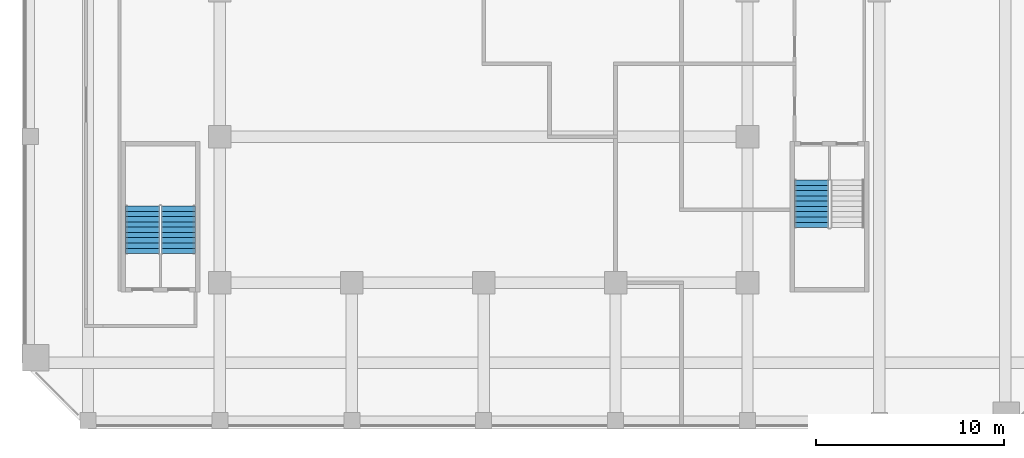
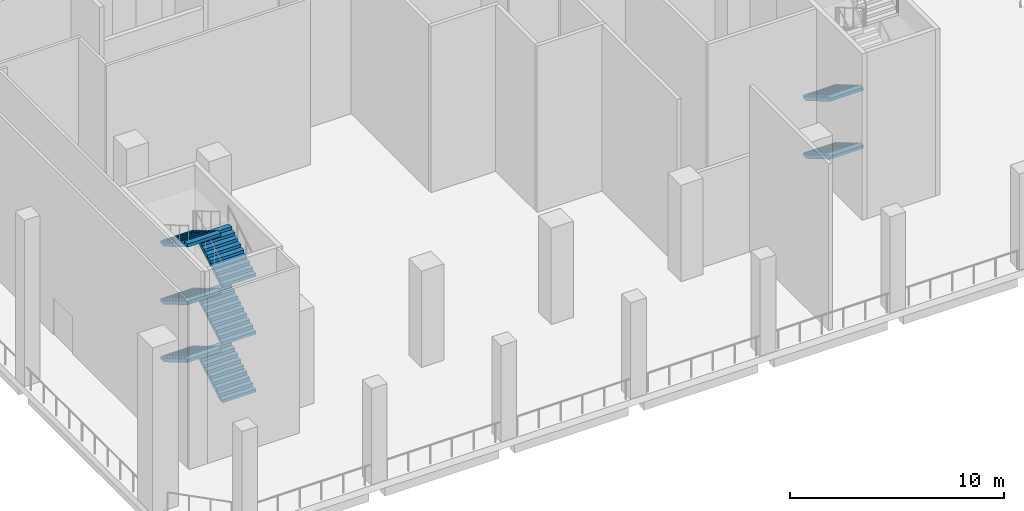
# One storey, part 6 of 12: 8 stair flights, 2 elements without a shape of their own.
"""IFC4 building model written with IfcOpenShell, lengths in metres."""

from ifc_helpers import new_model, si_unit, direction, frame, origin, place, context, subcontext, project, spatial, triangles, source, transform, mapped, material, type_object, element, aggregate, save


model = new_model("IFC4")

# Units and contexts
model_context = context("Model", 3, precision=1e-05, world=origin(), true_north=direction((0.0, 1.0)))
body_context = subcontext(model_context, "Body", "Model", "MODEL_VIEW")
ifc_project = project(units=[si_unit("LENGTHUNIT", "METRE"), si_unit("AREAUNIT", "SQUARE_METRE"), si_unit("VOLUMEUNIT", "CUBIC_METRE"), si_unit("PLANEANGLEUNIT", "RADIAN"), si_unit("MASSUNIT", "GRAM", prefix="KILO")], contexts=[model_context])

# Site, building, storey
site_placement = place(None, origin())
site = spatial("IfcSite", under=ifc_project, at=site_placement, CompositionType="ELEMENT")
building_placement = place(site_placement, origin())
building = spatial("IfcBuilding", under=site, at=building_placement, Name="Kilnfold Tower and Market Hall", CompositionType="ELEMENT")
storey_placement = place(building_placement, frame((0.0, 0.0, 128.60009765625)))
storey = spatial("IfcBuildingStorey", under=building, at=storey_placement, Name="L30 Refuge Wind Floor", CompositionType="ELEMENT", Elevation=128.60009765625)

# Stair, stair flights
ifc_material_1 = material(Name="Concrete C40/50", Category="concrete")
stair_type = type_object("IfcStairType", Name="CORE STAIR 1800", PredefinedType="HALF_TURN_STAIR", material=ifc_material_1)
stair_1_placement = place(storey_placement, origin())
stair_1 = element("IfcStair", 1, at=stair_1_placement, inside=storey, type_object=stair_type, Name="L30 Refuge Wind Floor ST3", PredefinedType="HALF_TURN_STAIR")
ifc_material_2 = material(Name="Concrete C40/50", Category="concrete")
stair_flight_type = type_object("IfcStairFlightType", Name="CORE STAIR FLIGHT 1800", PredefinedType="STRAIGHT", material=ifc_material_2)
shared_shape = source(origin(), body_context, "Body", "Tessellation", [
    triangles([(0.0, 0.89990234375, 0.0), (0.0, 0.78759765625, 0.0), (0.0, 0.675048828125, 0.0), (0.0, 0.5625, 0.0), (0.0, 0.449951171875, 0.0), (0.0, 0.33740234375, 0.0), (0.0, 0.22509765625, 0.0), (0.0, 0.112548828125, 0.0), (0.0, 0.0, 0.0), (0.0, -0.112548828125, 0.0), (0.0, -0.22509765625, 0.0), (0.0, -0.33740234375, 0.0), (0.0, -0.449951171875, 0.0), (0.0, -0.5625, 0.0), (0.0, -0.675048828125, 0.0), (0.0, -0.78759765625, 0.0), (0.0, -0.89990234375, 0.0), (0.0, 0.89990234375, 0.1650390625), (0.0, 0.78759765625, 0.1650390625), (0.0, 0.675048828125, 0.1650390625), (0.0, 0.5625, 0.1650390625), (0.0, 0.449951171875, 0.1650390625), (0.0, 0.33740234375, 0.1650390625), (0.0, 0.22509765625, 0.1650390625), (0.0, 0.112548828125, 0.1650390625), (0.0, 0.0, 0.1650390625), (0.0, -0.112548828125, 0.1650390625), (0.0, -0.22509765625, 0.1650390625), (0.0, -0.33740234375, 0.1650390625), (0.0, -0.449951171875, 0.1650390625), (0.0, -0.5625, 0.1650390625), (0.0, -0.675048828125, 0.1650390625), (0.0, -0.78759765625, 0.1650390625), (0.0, -0.89990234375, 0.1650390625), (0.280029296875, 0.89990234375, 0.1650390625), (0.280029296875, 0.78759765625, 0.1650390625), (0.280029296875, 0.675048828125, 0.1650390625), (0.280029296875, 0.5625, 0.1650390625), (0.280029296875, 0.449951171875, 0.1650390625), (0.280029296875, 0.33740234375, 0.1650390625), (0.280029296875, 0.22509765625, 0.1650390625), (0.280029296875, 0.112548828125, 0.1650390625), (0.280029296875, 0.0, 0.1650390625), (0.280029296875, -0.112548828125, 0.1650390625), (0.280029296875, -0.22509765625, 0.1650390625), (0.280029296875, -0.33740234375, 0.1650390625), (0.280029296875, -0.449951171875, 0.1650390625), (0.280029296875, -0.5625, 0.1650390625), (0.280029296875, -0.675048828125, 0.1650390625), (0.280029296875, -0.78759765625, 0.1650390625), (0.280029296875, -0.89990234375, 0.1650390625), (0.280029296875, 0.89990234375, 0.330078125), (0.280029296875, 0.78759765625, 0.330078125), (0.280029296875, 0.675048828125, 0.330078125), (0.280029296875, 0.5625, 0.330078125), (0.280029296875, 0.449951171875, 0.330078125), (0.280029296875, 0.33740234375, 0.330078125), (0.280029296875, 0.22509765625, 0.330078125), (0.280029296875, 0.112548828125, 0.330078125), (0.280029296875, 0.0, 0.330078125), (0.280029296875, -0.112548828125, 0.330078125), (0.280029296875, -0.22509765625, 0.330078125), (0.280029296875, -0.33740234375, 0.330078125), (0.280029296875, -0.449951171875, 0.330078125), (0.280029296875, -0.5625, 0.330078125), (0.280029296875, -0.675048828125, 0.330078125), (0.280029296875, -0.78759765625, 0.330078125), (0.280029296875, -0.89990234375, 0.330078125), (0.56005859375, 0.89990234375, 0.330078125), (0.56005859375, 0.78759765625, 0.330078125), (0.56005859375, 0.675048828125, 0.330078125), (0.56005859375, 0.5625, 0.330078125), (0.56005859375, 0.449951171875, 0.330078125), (0.56005859375, 0.33740234375, 0.330078125), (0.56005859375, 0.22509765625, 0.330078125), (0.56005859375, 0.112548828125, 0.330078125), (0.56005859375, 0.0, 0.330078125), (0.56005859375, -0.112548828125, 0.330078125), (0.56005859375, -0.22509765625, 0.330078125), (0.56005859375, -0.33740234375, 0.330078125), (0.56005859375, -0.449951171875, 0.330078125), (0.56005859375, -0.5625, 0.330078125), (0.56005859375, -0.675048828125, 0.330078125), (0.56005859375, -0.78759765625, 0.330078125), (0.56005859375, -0.89990234375, 0.330078125), (0.56005859375, 0.89990234375, 0.4951171875), (0.56005859375, 0.78759765625, 0.4951171875), (0.56005859375, 0.675048828125, 0.4951171875), (0.56005859375, 0.5625, 0.4951171875), (0.56005859375, 0.449951171875, 0.4951171875), (0.56005859375, 0.33740234375, 0.4951171875), (0.56005859375, 0.22509765625, 0.4951171875), (0.56005859375, 0.112548828125, 0.4951171875), (0.56005859375, 0.0, 0.4951171875), (0.56005859375, -0.112548828125, 0.4951171875), (0.56005859375, -0.22509765625, 0.4951171875), (0.56005859375, -0.33740234375, 0.4951171875), (0.56005859375, -0.449951171875, 0.4951171875), (0.56005859375, -0.5625, 0.4951171875), (0.56005859375, -0.675048828125, 0.4951171875), (0.56005859375, -0.78759765625, 0.4951171875), (0.56005859375, -0.89990234375, 0.4951171875), (0.840087890625, 0.89990234375, 0.4951171875), (0.840087890625, 0.78759765625, 0.4951171875), (0.840087890625, 0.675048828125, 0.4951171875), (0.840087890625, 0.5625, 0.4951171875), (0.840087890625, 0.449951171875, 0.4951171875), (0.840087890625, 0.33740234375, 0.4951171875), (0.840087890625, 0.22509765625, 0.4951171875), (0.840087890625, 0.112548828125, 0.4951171875), (0.840087890625, 0.0, 0.4951171875), (0.840087890625, -0.112548828125, 0.4951171875), (0.840087890625, -0.22509765625, 0.4951171875), (0.840087890625, -0.33740234375, 0.4951171875), (0.840087890625, -0.449951171875, 0.4951171875), (0.840087890625, -0.5625, 0.4951171875), (0.840087890625, -0.675048828125, 0.4951171875), (0.840087890625, -0.78759765625, 0.4951171875), (0.840087890625, -0.89990234375, 0.4951171875), (0.840087890625, 0.89990234375, 0.659912109375), (0.840087890625, 0.78759765625, 0.659912109375), (0.840087890625, 0.675048828125, 0.659912109375), (0.840087890625, 0.5625, 0.659912109375), (0.840087890625, 0.449951171875, 0.659912109375), (0.840087890625, 0.33740234375, 0.659912109375), (0.840087890625, 0.22509765625, 0.659912109375), (0.840087890625, 0.112548828125, 0.659912109375), (0.840087890625, 0.0, 0.659912109375), (0.840087890625, -0.112548828125, 0.659912109375), (0.840087890625, -0.22509765625, 0.659912109375), (0.840087890625, -0.33740234375, 0.659912109375), (0.840087890625, -0.449951171875, 0.659912109375), (0.840087890625, -0.5625, 0.659912109375), (0.840087890625, -0.675048828125, 0.659912109375), (0.840087890625, -0.78759765625, 0.659912109375), (0.840087890625, -0.89990234375, 0.659912109375), (1.1201171875, 0.89990234375, 0.659912109375), (1.1201171875, 0.78759765625, 0.659912109375), (1.1201171875, 0.675048828125, 0.659912109375), (1.1201171875, 0.5625, 0.659912109375), (1.1201171875, 0.449951171875, 0.659912109375), (1.1201171875, 0.33740234375, 0.659912109375), (1.1201171875, 0.22509765625, 0.659912109375), (1.1201171875, 0.112548828125, 0.659912109375), (1.1201171875, 0.0, 0.659912109375), (1.1201171875, -0.112548828125, 0.659912109375), (1.1201171875, -0.22509765625, 0.659912109375), (1.1201171875, -0.33740234375, 0.659912109375), (1.1201171875, -0.449951171875, 0.659912109375), (1.1201171875, -0.5625, 0.659912109375), (1.1201171875, -0.675048828125, 0.659912109375), (1.1201171875, -0.78759765625, 0.659912109375), (1.1201171875, -0.89990234375, 0.659912109375), (1.1201171875, 0.89990234375, 0.824951171875), (1.1201171875, 0.78759765625, 0.824951171875), (1.1201171875, 0.675048828125, 0.824951171875), (1.1201171875, 0.5625, 0.824951171875), (1.1201171875, 0.449951171875, 0.824951171875), (1.1201171875, 0.33740234375, 0.824951171875), (1.1201171875, 0.22509765625, 0.824951171875), (1.1201171875, 0.112548828125, 0.824951171875), (1.1201171875, 0.0, 0.824951171875), (1.1201171875, -0.112548828125, 0.824951171875), (1.1201171875, -0.22509765625, 0.824951171875), (1.1201171875, -0.33740234375, 0.824951171875), (1.1201171875, -0.449951171875, 0.824951171875), (1.1201171875, -0.5625, 0.824951171875), (1.1201171875, -0.675048828125, 0.824951171875), (1.1201171875, -0.78759765625, 0.824951171875), (1.1201171875, -0.89990234375, 0.824951171875), (1.39990234375, 0.89990234375, 0.824951171875), (1.39990234375, 0.78759765625, 0.824951171875), (1.39990234375, 0.675048828125, 0.824951171875), (1.39990234375, 0.5625, 0.824951171875), (1.39990234375, 0.449951171875, 0.824951171875), (1.39990234375, 0.33740234375, 0.824951171875), (1.39990234375, 0.22509765625, 0.824951171875), (1.39990234375, 0.112548828125, 0.824951171875), (1.39990234375, 0.0, 0.824951171875), (1.39990234375, -0.112548828125, 0.824951171875), (1.39990234375, -0.22509765625, 0.824951171875), (1.39990234375, -0.33740234375, 0.824951171875), (1.39990234375, -0.449951171875, 0.824951171875), (1.39990234375, -0.5625, 0.824951171875), (1.39990234375, -0.675048828125, 0.824951171875), (1.39990234375, -0.78759765625, 0.824951171875), (1.39990234375, -0.89990234375, 0.824951171875), (1.39990234375, 0.89990234375, 0.989990234375), (1.39990234375, 0.78759765625, 0.989990234375), (1.39990234375, 0.675048828125, 0.989990234375), (1.39990234375, 0.5625, 0.989990234375), (1.39990234375, 0.449951171875, 0.989990234375), (1.39990234375, 0.33740234375, 0.989990234375), (1.39990234375, 0.22509765625, 0.989990234375), (1.39990234375, 0.112548828125, 0.989990234375), (1.39990234375, 0.0, 0.989990234375), (1.39990234375, -0.112548828125, 0.989990234375), (1.39990234375, -0.22509765625, 0.989990234375), (1.39990234375, -0.33740234375, 0.989990234375), (1.39990234375, -0.449951171875, 0.989990234375), (1.39990234375, -0.5625, 0.989990234375), (1.39990234375, -0.675048828125, 0.989990234375), (1.39990234375, -0.78759765625, 0.989990234375), (1.39990234375, -0.89990234375, 0.989990234375), (1.679931640625, 0.89990234375, 0.989990234375), (1.679931640625, 0.78759765625, 0.989990234375), (1.679931640625, 0.675048828125, 0.989990234375), (1.679931640625, 0.5625, 0.989990234375), (1.679931640625, 0.449951171875, 0.989990234375), (1.679931640625, 0.33740234375, 0.989990234375), (1.679931640625, 0.22509765625, 0.989990234375), (1.679931640625, 0.112548828125, 0.989990234375), (1.679931640625, 0.0, 0.989990234375), (1.679931640625, -0.112548828125, 0.989990234375), (1.679931640625, -0.22509765625, 0.989990234375), (1.679931640625, -0.33740234375, 0.989990234375), (1.679931640625, -0.449951171875, 0.989990234375), (1.679931640625, -0.5625, 0.989990234375), (1.679931640625, -0.675048828125, 0.989990234375), (1.679931640625, -0.78759765625, 0.989990234375), (1.679931640625, -0.89990234375, 0.989990234375), (1.679931640625, 0.89990234375, 1.155029296875), (1.679931640625, 0.78759765625, 1.155029296875), (1.679931640625, 0.675048828125, 1.155029296875), (1.679931640625, 0.5625, 1.155029296875), (1.679931640625, 0.449951171875, 1.155029296875), (1.679931640625, 0.33740234375, 1.155029296875), (1.679931640625, 0.22509765625, 1.155029296875), (1.679931640625, 0.112548828125, 1.155029296875), (1.679931640625, 0.0, 1.155029296875), (1.679931640625, -0.112548828125, 1.155029296875), (1.679931640625, -0.22509765625, 1.155029296875), (1.679931640625, -0.33740234375, 1.155029296875), (1.679931640625, -0.449951171875, 1.155029296875), (1.679931640625, -0.5625, 1.155029296875), (1.679931640625, -0.675048828125, 1.155029296875), (1.679931640625, -0.78759765625, 1.155029296875), (1.679931640625, -0.89990234375, 1.155029296875), (1.9599609375, 0.89990234375, 1.155029296875), (1.9599609375, 0.78759765625, 1.155029296875), (1.9599609375, 0.675048828125, 1.155029296875), (1.9599609375, 0.5625, 1.155029296875), (1.9599609375, 0.449951171875, 1.155029296875), (1.9599609375, 0.33740234375, 1.155029296875), (1.9599609375, 0.22509765625, 1.155029296875), (1.9599609375, 0.112548828125, 1.155029296875), (1.9599609375, 0.0, 1.155029296875), (1.9599609375, -0.112548828125, 1.155029296875), (1.9599609375, -0.22509765625, 1.155029296875), (1.9599609375, -0.33740234375, 1.155029296875), (1.9599609375, -0.449951171875, 1.155029296875), (1.9599609375, -0.5625, 1.155029296875), (1.9599609375, -0.675048828125, 1.155029296875), (1.9599609375, -0.78759765625, 1.155029296875), (1.9599609375, -0.89990234375, 1.155029296875), (1.9599609375, 0.89990234375, 1.320068359375), (1.9599609375, 0.78759765625, 1.320068359375), (1.9599609375, 0.675048828125, 1.320068359375), (1.9599609375, 0.5625, 1.320068359375), (1.9599609375, 0.449951171875, 1.320068359375), (1.9599609375, 0.33740234375, 1.320068359375), (1.9599609375, 0.22509765625, 1.320068359375), (1.9599609375, 0.112548828125, 1.320068359375), (1.9599609375, 0.0, 1.320068359375), (1.9599609375, -0.112548828125, 1.320068359375), (1.9599609375, -0.22509765625, 1.320068359375), (1.9599609375, -0.33740234375, 1.320068359375), (1.9599609375, -0.449951171875, 1.320068359375), (1.9599609375, -0.5625, 1.320068359375), (1.9599609375, -0.675048828125, 1.320068359375), (1.9599609375, -0.78759765625, 1.320068359375), (1.9599609375, -0.89990234375, 1.320068359375), (2.239990234375, 0.89990234375, 1.320068359375), (2.239990234375, 0.78759765625, 1.320068359375), (2.239990234375, 0.675048828125, 1.320068359375), (2.239990234375, 0.5625, 1.320068359375), (2.239990234375, 0.449951171875, 1.320068359375), (2.239990234375, 0.33740234375, 1.320068359375), (2.239990234375, 0.22509765625, 1.320068359375), (2.239990234375, 0.112548828125, 1.320068359375), (2.239990234375, 0.0, 1.320068359375), (2.239990234375, -0.112548828125, 1.320068359375), (2.239990234375, -0.22509765625, 1.320068359375), (2.239990234375, -0.33740234375, 1.320068359375), (2.239990234375, -0.449951171875, 1.320068359375), (2.239990234375, -0.5625, 1.320068359375), (2.239990234375, -0.675048828125, 1.320068359375), (2.239990234375, -0.78759765625, 1.320068359375), (2.239990234375, -0.89990234375, 1.320068359375), (2.239990234375, 0.89990234375, 1.485107421875), (2.239990234375, 0.78759765625, 1.485107421875), (2.239990234375, 0.675048828125, 1.485107421875), (2.239990234375, 0.5625, 1.485107421875), (2.239990234375, 0.449951171875, 1.485107421875), (2.239990234375, 0.33740234375, 1.485107421875), (2.239990234375, 0.22509765625, 1.485107421875), (2.239990234375, 0.112548828125, 1.485107421875), (2.239990234375, 0.0, 1.485107421875), (2.239990234375, -0.112548828125, 1.485107421875), (2.239990234375, -0.22509765625, 1.485107421875), (2.239990234375, -0.33740234375, 1.485107421875), (2.239990234375, -0.449951171875, 1.485107421875), (2.239990234375, -0.5625, 1.485107421875), (2.239990234375, -0.675048828125, 1.485107421875), (2.239990234375, -0.78759765625, 1.485107421875), (2.239990234375, -0.89990234375, 1.485107421875), (2.52001953125, 0.89990234375, 1.485107421875), (2.52001953125, 0.78759765625, 1.485107421875), (2.52001953125, 0.675048828125, 1.485107421875), (2.52001953125, 0.5625, 1.485107421875), (2.52001953125, 0.449951171875, 1.485107421875), (2.52001953125, 0.33740234375, 1.485107421875), (2.52001953125, 0.22509765625, 1.485107421875), (2.52001953125, 0.112548828125, 1.485107421875), (2.52001953125, 0.0, 1.485107421875), (2.52001953125, -0.112548828125, 1.485107421875), (2.52001953125, -0.22509765625, 1.485107421875), (2.52001953125, -0.33740234375, 1.485107421875), (2.52001953125, -0.449951171875, 1.485107421875), (2.52001953125, -0.5625, 1.485107421875), (2.52001953125, -0.675048828125, 1.485107421875), (2.52001953125, -0.78759765625, 1.485107421875), (2.52001953125, -0.89990234375, 1.485107421875), (2.52001953125, 0.89990234375, 1.31103515625), (2.52001953125, 0.78759765625, 1.31103515625), (2.52001953125, 0.675048828125, 1.31103515625), (2.52001953125, 0.5625, 1.31103515625), (2.52001953125, 0.449951171875, 1.31103515625), (2.52001953125, 0.33740234375, 1.31103515625), (2.52001953125, 0.22509765625, 1.31103515625), (2.52001953125, 0.112548828125, 1.31103515625), (2.52001953125, 0.0, 1.31103515625), (2.52001953125, -0.112548828125, 1.31103515625), (2.52001953125, -0.22509765625, 1.31103515625), (2.52001953125, -0.33740234375, 1.31103515625), (2.52001953125, -0.449951171875, 1.31103515625), (2.52001953125, -0.5625, 1.31103515625), (2.52001953125, -0.675048828125, 1.31103515625), (2.52001953125, -0.78759765625, 1.31103515625), (2.52001953125, -0.89990234375, 1.31103515625), (0.295166015625, 0.89990234375, 0.0), (0.295166015625, 0.78759765625, 0.0), (0.295166015625, 0.675048828125, 0.0), (0.295166015625, 0.5625, 0.0), (0.295166015625, 0.449951171875, 0.0), (0.295166015625, 0.33740234375, 0.0), (0.295166015625, 0.22509765625, 0.0), (0.295166015625, 0.112548828125, 0.0), (0.295166015625, 0.0, 0.0), (0.295166015625, -0.112548828125, 0.0), (0.295166015625, -0.22509765625, 0.0), (0.295166015625, -0.33740234375, 0.0), (0.295166015625, -0.449951171875, 0.0), (0.295166015625, -0.5625, 0.0), (0.295166015625, -0.675048828125, 0.0), (0.295166015625, -0.78759765625, 0.0), (0.295166015625, -0.89990234375, 0.0)], [[1, 324, 341], [17, 357, 340], [324, 290, 307], [340, 323, 306], [324, 273, 290], [340, 306, 289], [324, 256, 273], [340, 289, 272], [324, 239, 256], [340, 272, 255], [239, 205, 222], [255, 238, 221], [324, 205, 239], [340, 255, 221], [205, 171, 188], [221, 204, 187], [324, 171, 205], [340, 221, 187], [171, 137, 154], [187, 170, 153], [324, 137, 171], [340, 187, 153], [1, 137, 324], [17, 340, 153], [137, 103, 120], [153, 136, 119], [103, 69, 86], [119, 102, 85], [137, 69, 103], [153, 119, 85], [69, 35, 52], [85, 68, 51], [137, 35, 69], [153, 85, 51], [1, 35, 137], [17, 153, 51], [35, 1, 18], [51, 34, 17], [1, 19, 18], [1, 2, 19], [2, 20, 19], [2, 3, 20], [3, 21, 20], [3, 4, 21], [4, 22, 21], [4, 5, 22], [5, 23, 22], [5, 6, 23], [6, 24, 23], [6, 7, 24], [7, 25, 24], [7, 8, 25], [8, 26, 25], [8, 9, 26], [9, 27, 26], [9, 10, 27], [10, 28, 27], [10, 11, 28], [11, 29, 28], [11, 12, 29], [12, 30, 29], [12, 13, 30], [13, 31, 30], [13, 14, 31], [14, 32, 31], [14, 15, 32], [15, 33, 32], [15, 16, 33], [16, 34, 33], [16, 17, 34], [18, 36, 35], [18, 19, 36], [19, 37, 36], [19, 20, 37], [20, 38, 37], [20, 21, 38], [21, 39, 38], [21, 22, 39], [22, 40, 39], [22, 23, 40], [23, 41, 40], [23, 24, 41], [24, 42, 41], [24, 25, 42], [25, 43, 42], [25, 26, 43], [26, 44, 43], [26, 27, 44], [27, 45, 44], [27, 28, 45], [28, 46, 45], [28, 29, 46], [29, 47, 46], [29, 30, 47], [30, 48, 47], [30, 31, 48], [31, 49, 48], [31, 32, 49], [32, 50, 49], [32, 33, 50], [33, 51, 50], [33, 34, 51], [35, 53, 52], [35, 36, 53], [36, 54, 53], [36, 37, 54], [37, 55, 54], [37, 38, 55], [38, 56, 55], [38, 39, 56], [39, 57, 56], [39, 40, 57], [40, 58, 57], [40, 41, 58], [41, 59, 58], [41, 42, 59], [42, 60, 59], [42, 43, 60], [43, 61, 60], [43, 44, 61], [44, 62, 61], [44, 45, 62], [45, 63, 62], [45, 46, 63], [46, 64, 63], [46, 47, 64], [47, 65, 64], [47, 48, 65], [48, 66, 65], [48, 49, 66], [49, 67, 66], [49, 50, 67], [50, 68, 67], [50, 51, 68], [52, 70, 69], [52, 53, 70], [53, 71, 70], [53, 54, 71], [54, 72, 71], [54, 55, 72], [55, 73, 72], [55, 56, 73], [56, 74, 73], [56, 57, 74], [57, 75, 74], [57, 58, 75], [58, 76, 75], [58, 59, 76], [59, 77, 76], [59, 60, 77], [60, 78, 77], [60, 61, 78], [61, 79, 78], [61, 62, 79], [62, 80, 79], [62, 63, 80], [63, 81, 80], [63, 64, 81], [64, 82, 81], [64, 65, 82], [65, 83, 82], [65, 66, 83], [66, 84, 83], [66, 67, 84], [67, 85, 84], [67, 68, 85], [69, 87, 86], [69, 70, 87], [70, 88, 87], [70, 71, 88], [71, 89, 88], [71, 72, 89], [72, 90, 89], [72, 73, 90], [73, 91, 90], [73, 74, 91], [74, 92, 91], [74, 75, 92], [75, 93, 92], [75, 76, 93], [76, 94, 93], [76, 77, 94], [77, 95, 94], [77, 78, 95], [78, 96, 95], [78, 79, 96], [79, 97, 96], [79, 80, 97], [80, 98, 97], [80, 81, 98], [81, 99, 98], [81, 82, 99], [82, 100, 99], [82, 83, 100], [83, 101, 100], [83, 84, 101], [84, 102, 101], [84, 85, 102], [86, 104, 103], [86, 87, 104], [87, 105, 104], [87, 88, 105], [88, 106, 105], [88, 89, 106], [89, 107, 106], [89, 90, 107], [90, 108, 107], [90, 91, 108], [91, 109, 108], [91, 92, 109], [92, 110, 109], [92, 93, 110], [93, 111, 110], [93, 94, 111], [94, 112, 111], [94, 95, 112], [95, 113, 112], [95, 96, 113], [96, 114, 113], [96, 97, 114], [97, 115, 114], [97, 98, 115], [98, 116, 115], [98, 99, 116], [99, 117, 116], [99, 100, 117], [100, 118, 117], [100, 101, 118], [101, 119, 118], [101, 102, 119], [103, 121, 120], [103, 104, 121], [104, 122, 121], [104, 105, 122], [105, 123, 122], [105, 106, 123], [106, 124, 123], [106, 107, 124], [107, 125, 124], [107, 108, 125], [108, 126, 125], [108, 109, 126], [109, 127, 126], [109, 110, 127], [110, 128, 127], [110, 111, 128], [111, 129, 128], [111, 112, 129], [112, 130, 129], [112, 113, 130], [113, 131, 130], [113, 114, 131], [114, 132, 131], [114, 115, 132], [115, 133, 132], [115, 116, 133], [116, 134, 133], [116, 117, 134], [117, 135, 134], [117, 118, 135], [118, 136, 135], [118, 119, 136], [120, 138, 137], [120, 121, 138], [121, 139, 138], [121, 122, 139], [122, 140, 139], [122, 123, 140], [123, 141, 140], [123, 124, 141], [124, 142, 141], [124, 125, 142], [125, 143, 142], [125, 126, 143], [126, 144, 143], [126, 127, 144], [127, 145, 144], [127, 128, 145], [128, 146, 145], [128, 129, 146], [129, 147, 146], [129, 130, 147], [130, 148, 147], [130, 131, 148], [131, 149, 148], [131, 132, 149], [132, 150, 149], [132, 133, 150], [133, 151, 150], [133, 134, 151], [134, 152, 151], [134, 135, 152], [135, 153, 152], [135, 136, 153], [137, 155, 154], [137, 138, 155], [138, 156, 155], [138, 139, 156], [139, 157, 156], [139, 140, 157], [140, 158, 157], [140, 141, 158], [141, 159, 158], [141, 142, 159], [142, 160, 159], [142, 143, 160], [143, 161, 160], [143, 144, 161], [144, 162, 161], [144, 145, 162], [145, 163, 162], [145, 146, 163], [146, 164, 163], [146, 147, 164], [147, 165, 164], [147, 148, 165], [148, 166, 165], [148, 149, 166], [149, 167, 166], [149, 150, 167], [150, 168, 167], [150, 151, 168], [151, 169, 168], [151, 152, 169], [152, 170, 169], [152, 153, 170], [154, 172, 171], [154, 155, 172], [155, 173, 172], [155, 156, 173], [156, 174, 173], [156, 157, 174], [157, 175, 174], [157, 158, 175], [158, 176, 175], [158, 159, 176], [159, 177, 176], [159, 160, 177], [160, 178, 177], [160, 161, 178], [161, 179, 178], [161, 162, 179], [162, 180, 179], [162, 163, 180], [163, 181, 180], [163, 164, 181], [164, 182, 181], [164, 165, 182], [165, 183, 182], [165, 166, 183], [166, 184, 183], [166, 167, 184], [167, 185, 184], [167, 168, 185], [168, 186, 185], [168, 169, 186], [169, 187, 186], [169, 170, 187], [171, 189, 188], [171, 172, 189], [172, 190, 189], [172, 173, 190], [173, 191, 190], [173, 174, 191], [174, 192, 191], [174, 175, 192], [175, 193, 192], [175, 176, 193], [176, 194, 193], [176, 177, 194], [177, 195, 194], [177, 178, 195], [178, 196, 195], [178, 179, 196], [179, 197, 196], [179, 180, 197], [180, 198, 197], [180, 181, 198], [181, 199, 198], [181, 182, 199], [182, 200, 199], [182, 183, 200], [183, 201, 200], [183, 184, 201], [184, 202, 201], [184, 185, 202], [185, 203, 202], [185, 186, 203], [186, 204, 203], [186, 187, 204], [188, 206, 205], [188, 189, 206], [189, 207, 206], [189, 190, 207], [190, 208, 207], [190, 191, 208], [191, 209, 208], [191, 192, 209], [192, 210, 209], [192, 193, 210], [193, 211, 210], [193, 194, 211], [194, 212, 211], [194, 195, 212], [195, 213, 212], [195, 196, 213], [196, 214, 213], [196, 197, 214], [197, 215, 214], [197, 198, 215], [198, 216, 215], [198, 199, 216], [199, 217, 216], [199, 200, 217], [200, 218, 217], [200, 201, 218], [201, 219, 218], [201, 202, 219], [202, 220, 219], [202, 203, 220], [203, 221, 220], [203, 204, 221], [205, 223, 222], [205, 206, 223], [206, 224, 223], [206, 207, 224], [207, 225, 224], [207, 208, 225], [208, 226, 225], [208, 209, 226], [209, 227, 226], [209, 210, 227], [210, 228, 227], [210, 211, 228], [211, 229, 228], [211, 212, 229], [212, 230, 229], [212, 213, 230], [213, 231, 230], [213, 214, 231], [214, 232, 231], [214, 215, 232], [215, 233, 232], [215, 216, 233], [216, 234, 233], [216, 217, 234], [217, 235, 234], [217, 218, 235], [218, 236, 235], [218, 219, 236], [219, 237, 236], [219, 220, 237], [220, 238, 237], [220, 221, 238], [222, 240, 239], [222, 223, 240], [223, 241, 240], [223, 224, 241], [224, 242, 241], [224, 225, 242], [225, 243, 242], [225, 226, 243], [226, 244, 243], [226, 227, 244], [227, 245, 244], [227, 228, 245], [228, 246, 245], [228, 229, 246], [229, 247, 246], [229, 230, 247], [230, 248, 247], [230, 231, 248], [231, 249, 248], [231, 232, 249], [232, 250, 249], [232, 233, 250], [233, 251, 250], [233, 234, 251], [234, 252, 251], [234, 235, 252], [235, 253, 252], [235, 236, 253], [236, 254, 253], [236, 237, 254], [237, 255, 254], [237, 238, 255], [239, 257, 256], [239, 240, 257], [240, 258, 257], [240, 241, 258], [241, 259, 258], [241, 242, 259], [242, 260, 259], [242, 243, 260], [243, 261, 260], [243, 244, 261], [244, 262, 261], [244, 245, 262], [245, 263, 262], [245, 246, 263], [246, 264, 263], [246, 247, 264], [247, 265, 264], [247, 248, 265], [248, 266, 265], [248, 249, 266], [249, 267, 266], [249, 250, 267], [250, 268, 267], [250, 251, 268], [251, 269, 268], [251, 252, 269], [252, 270, 269], [252, 253, 270], [253, 271, 270], [253, 254, 271], [254, 272, 271], [254, 255, 272], [256, 274, 273], [256, 257, 274], [257, 275, 274], [257, 258, 275], [258, 276, 275], [258, 259, 276], [259, 277, 276], [259, 260, 277], [260, 278, 277], [260, 261, 278], [261, 279, 278], [261, 262, 279], [262, 280, 279], [262, 263, 280], [263, 281, 280], [263, 264, 281], [264, 282, 281], [264, 265, 282], [265, 283, 282], [265, 266, 283], [266, 284, 283], [266, 267, 284], [267, 285, 284], [267, 268, 285], [268, 286, 285], [268, 269, 286], [269, 287, 286], [269, 270, 287], [270, 288, 287], [270, 271, 288], [271, 289, 288], [271, 272, 289], [273, 291, 290], [273, 274, 291], [274, 292, 291], [274, 275, 292], [275, 293, 292], [275, 276, 293], [276, 294, 293], [276, 277, 294], [277, 295, 294], [277, 278, 295], [278, 296, 295], [278, 279, 296], [279, 297, 296], [279, 280, 297], [280, 298, 297], [280, 281, 298], [281, 299, 298], [281, 282, 299], [282, 300, 299], [282, 283, 300], [283, 301, 300], [283, 284, 301], [284, 302, 301], [284, 285, 302], [285, 303, 302], [285, 286, 303], [286, 304, 303], [286, 287, 304], [287, 305, 304], [287, 288, 305], [288, 306, 305], [288, 289, 306], [290, 308, 307], [290, 291, 308], [291, 309, 308], [291, 292, 309], [292, 310, 309], [292, 293, 310], [293, 311, 310], [293, 294, 311], [294, 312, 311], [294, 295, 312], [295, 313, 312], [295, 296, 313], [296, 314, 313], [296, 297, 314], [297, 315, 314], [297, 298, 315], [298, 316, 315], [298, 299, 316], [299, 317, 316], [299, 300, 317], [300, 318, 317], [300, 301, 318], [301, 319, 318], [301, 302, 319], [302, 320, 319], [302, 303, 320], [303, 321, 320], [303, 304, 321], [304, 322, 321], [304, 305, 322], [305, 323, 322], [305, 306, 323], [307, 325, 324], [307, 308, 325], [308, 326, 325], [308, 309, 326], [309, 327, 326], [309, 310, 327], [310, 328, 327], [310, 311, 328], [311, 329, 328], [311, 312, 329], [312, 330, 329], [312, 313, 330], [313, 331, 330], [313, 314, 331], [314, 332, 331], [314, 315, 332], [315, 333, 332], [315, 316, 333], [316, 334, 333], [316, 317, 334], [317, 335, 334], [317, 318, 335], [318, 336, 335], [318, 319, 336], [319, 337, 336], [319, 320, 337], [320, 338, 337], [320, 321, 338], [321, 339, 338], [321, 322, 339], [322, 340, 339], [322, 323, 340], [324, 342, 341], [324, 325, 342], [325, 343, 342], [325, 326, 343], [326, 344, 343], [326, 327, 344], [327, 345, 344], [327, 328, 345], [328, 346, 345], [328, 329, 346], [329, 347, 346], [329, 330, 347], [330, 348, 347], [330, 331, 348], [331, 349, 348], [331, 332, 349], [332, 350, 349], [332, 333, 350], [333, 351, 350], [333, 334, 351], [334, 352, 351], [334, 335, 352], [335, 353, 352], [335, 336, 353], [336, 354, 353], [336, 337, 354], [337, 355, 354], [337, 338, 355], [338, 356, 355], [338, 339, 356], [339, 357, 356], [339, 340, 357], [341, 2, 1], [341, 342, 2], [342, 3, 2], [342, 343, 3], [343, 4, 3], [343, 344, 4], [344, 5, 4], [344, 345, 5], [345, 6, 5], [345, 346, 6], [346, 7, 6], [346, 347, 7], [347, 8, 7], [347, 348, 8], [348, 9, 8], [348, 349, 9], [349, 10, 9], [349, 350, 10], [350, 11, 10], [350, 351, 11], [351, 12, 11], [351, 352, 12], [352, 13, 12], [352, 353, 13], [353, 14, 13], [353, 354, 14], [354, 15, 14], [354, 355, 15], [355, 16, 15], [355, 356, 16], [356, 17, 16], [356, 357, 17]], closed=True),
])
stair_flight_1_placement = place(storey_placement, frame((-14.699951171875, -13.699951171875, 0.0), z_axis=(0.0, 0.0, 1.0), x_axis=(0.0, 1.0, 0.0)))
stair_flight_1 = element("IfcStairFlight", 2, at=stair_flight_1_placement, type_object=stair_flight_type, Name="ST3 flight 1", NumberOfRisers=10, NumberOfTreads=9, PredefinedType="STRAIGHT", RiserHeight=0.165, TreadLength=0.28, context=body_context, shape_type="MappedRepresentation", body=[
    mapped(shared_shape, transform((0.0, 0.0, 0.0))),
])
stair_flight_2_placement = place(storey_placement, frame((-16.60009765625, -11.179931640625, 1.64990234375), z_axis=(0.0, 0.0, 1.0), x_axis=(0.0, -1.0, 0.0)))
stair_flight_2 = element("IfcStairFlight", 3, at=stair_flight_2_placement, type_object=stair_flight_type, Name="ST3 flight 2", NumberOfRisers=10, NumberOfTreads=9, PredefinedType="STRAIGHT", RiserHeight=0.165, TreadLength=0.28, context=body_context, shape_type="MappedRepresentation", body=[
    mapped(shared_shape, transform((0.0, 0.0, 0.0))),
])
stair_flight_3_placement = place(storey_placement, frame((-14.699951171875, -13.699951171875, 3.2998046875), z_axis=(0.0, 0.0, 1.0), x_axis=(0.0, 1.0, 0.0)))
stair_flight_3 = element("IfcStairFlight", 4, at=stair_flight_3_placement, type_object=stair_flight_type, Name="ST3 flight 3", NumberOfRisers=10, NumberOfTreads=9, PredefinedType="STRAIGHT", RiserHeight=0.165, TreadLength=0.28, context=body_context, shape_type="MappedRepresentation", body=[
    mapped(shared_shape, transform((0.0, 0.0, 0.0))),
])
stair_flight_4_placement = place(storey_placement, frame((-16.60009765625, -11.179931640625, 4.949951171875), z_axis=(0.0, 0.0, 1.0), x_axis=(0.0, -1.0, 0.0)))
stair_flight_4 = element("IfcStairFlight", 5, at=stair_flight_4_placement, type_object=stair_flight_type, Name="ST3 flight 4", NumberOfRisers=10, NumberOfTreads=9, PredefinedType="STRAIGHT", RiserHeight=0.165, TreadLength=0.28, context=body_context, shape_type="MappedRepresentation", body=[
    mapped(shared_shape, transform((0.0, 0.0, 0.0))),
])
stair_flight_5_placement = place(storey_placement, frame((-14.699951171875, -13.699951171875, 6.599853515625), z_axis=(0.0, 0.0, 1.0), x_axis=(0.0, 1.0, 0.0)))
stair_flight_5 = element("IfcStairFlight", 6, at=stair_flight_5_placement, type_object=stair_flight_type, Name="ST3 flight 5", NumberOfRisers=10, NumberOfTreads=9, PredefinedType="STRAIGHT", RiserHeight=0.165, TreadLength=0.28, context=body_context, shape_type="MappedRepresentation", body=[
    mapped(shared_shape, transform((0.0, 0.0, 0.0))),
])
stair_flight_6_placement = place(storey_placement, frame((-16.60009765625, -11.179931640625, 8.25), z_axis=(0.0, 0.0, 1.0), x_axis=(0.0, -1.0, 0.0)))
stair_flight_6 = element("IfcStairFlight", 7, at=stair_flight_6_placement, type_object=stair_flight_type, Name="ST3 flight 6", NumberOfRisers=10, NumberOfTreads=9, PredefinedType="STRAIGHT", RiserHeight=0.165, TreadLength=0.28, context=body_context, shape_type="MappedRepresentation", body=[
    mapped(shared_shape, transform((0.0, 0.0, 0.0))),
])
aggregate(stair_1, [stair_flight_1, stair_flight_2, stair_flight_3, stair_flight_4, stair_flight_5, stair_flight_6])

stair_2_placement = place(storey_placement, origin())
stair_2 = element("IfcStair", 8, at=stair_2_placement, inside=storey, type_object=stair_type, Name="L30 Refuge Wind Floor ST4", PredefinedType="HALF_TURN_STAIR")
stair_flight_7_placement = place(storey_placement, frame((18.89990234375, -9.800048828125, 0.0), z_axis=(0.0, 0.0, 1.0), x_axis=(0.0, -1.0, 0.0)))
stair_flight_7 = element("IfcStairFlight", 9, at=stair_flight_7_placement, type_object=stair_flight_type, Name="ST4 flight 1", NumberOfRisers=10, NumberOfTreads=9, PredefinedType="STRAIGHT", RiserHeight=0.165, TreadLength=0.28, context=body_context, shape_type="MappedRepresentation", body=[
    mapped(shared_shape, transform((0.0, 0.0, 0.0))),
])
stair_flight_8_placement = place(storey_placement, frame((18.89990234375, -9.800048828125, 3.2998046875), z_axis=(0.0, 0.0, 1.0), x_axis=(0.0, -1.0, 0.0)))
stair_flight_8 = element("IfcStairFlight", 10, at=stair_flight_8_placement, type_object=stair_flight_type, Name="ST4 flight 3", NumberOfRisers=10, NumberOfTreads=9, PredefinedType="STRAIGHT", RiserHeight=0.165, TreadLength=0.28, context=body_context, shape_type="MappedRepresentation", body=[
    mapped(shared_shape, transform((0.0, 0.0, 0.0))),
])
aggregate(stair_2, [stair_flight_7, stair_flight_8])

save(model, "model.ifc")
